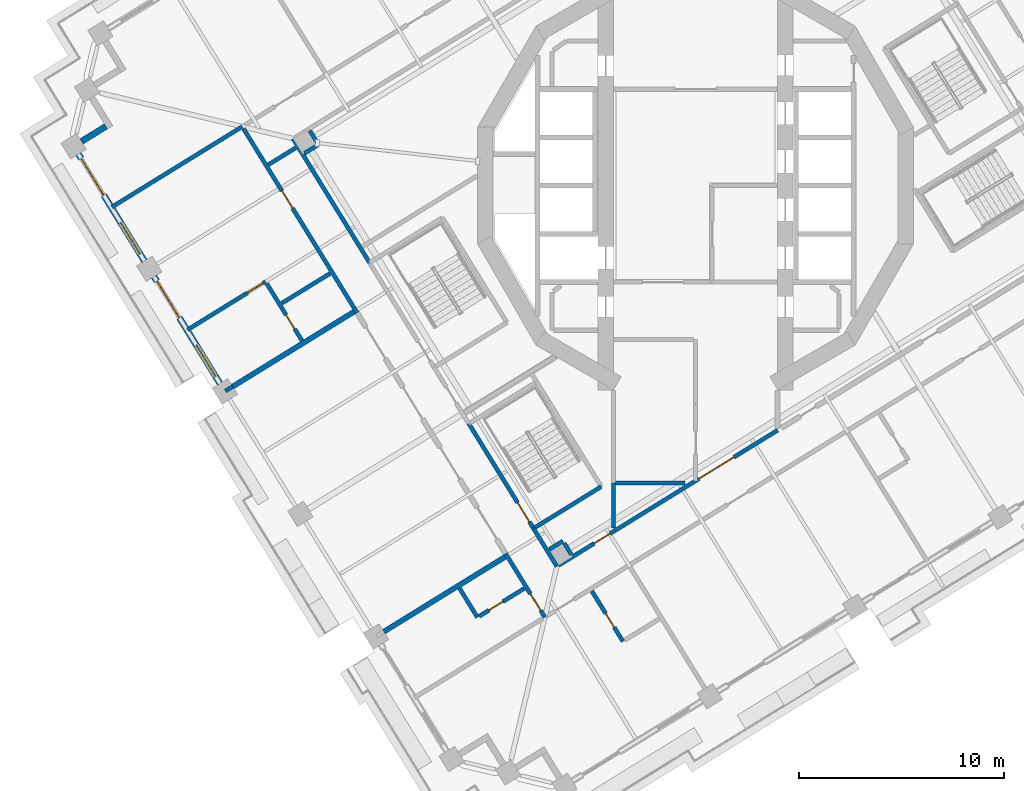
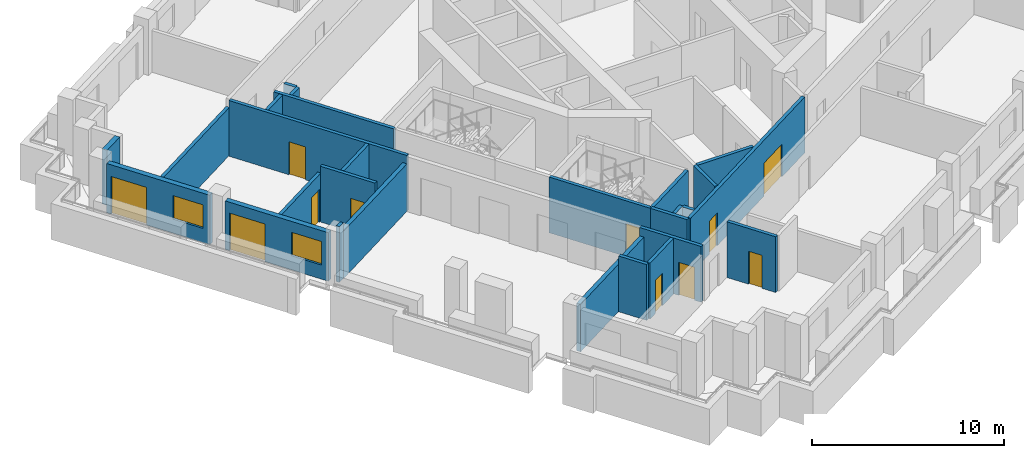
# One storey, part 4 of 20: 27 walls, 11 doors, 2 windows, 13 openings.
"""IFC4 building model written with IfcOpenShell, lengths in metres."""

import ifcopenshell
import ifcopenshell.guid

model = None  # the IFC model being written
_history = None  # IfcOwnerHistory: only IFC2X3 demands one
_inside = {}  # id of a spatial element -> (the spatial element, [elements in it])
_under = {}  # id of a project, library or spatial element -> (it, [spatial elements below it])
_declared = {}  # id of a project -> (the project, [libraries it declares])
_typed = {}  # id of a type object -> (the type object, [elements of that type])
_made_of = {}  # id of a material, layer set ... -> (it, [elements and type objects made of it])


def new_model(schema):
    """Start an empty IFC model of exactly this schema.

    Asked for "IFC4X3", IfcOpenShell would pick the latest addendum, in which some entities
    have other attributes; the version numbers below select the first issue.
    IFC2X3 requires an IfcOwnerHistory on every rooted entity: one is made here for all.
    """
    global model, _history
    if schema == "IFC4X3":
        model = ifcopenshell.file(schema_version=(4, 3, 0, 0))
    else:
        model = ifcopenshell.file(schema=schema)
    _inside.clear()
    _under.clear()
    _declared.clear()
    _typed.clear()
    _made_of.clear()
    _history = None
    if model.schema == "IFC2X3":
        org = make("IfcOrganization", Name="unknown")
        user = make(
            "IfcPersonAndOrganization",
            ThePerson=make("IfcPerson", FamilyName="unknown"),
            TheOrganization=org,
        )
        app = make(
            "IfcApplication",
            ApplicationDeveloper=org,
            Version="unknown",
            ApplicationFullName="unknown",
            ApplicationIdentifier="unknown",
        )
        _history = make(
            "IfcOwnerHistory",
            OwningUser=user,
            OwningApplication=app,
            ChangeAction="ADDED",
            CreationDate=0,
        )
    return model


def make(cls, **values):
    """One entity of the class cls with the attributes given. An attribute that is None is left unset."""
    return model.create_entity(
        cls, **{name: value for name, value in values.items() if value is not None}
    )


def rooted(cls, **values):
    """An entity with a GlobalId (a new one), such as an element, a storey or a relation."""
    return make(cls, GlobalId=ifcopenshell.guid.new(), OwnerHistory=_history, **values)


def si_unit(unit_type, name, prefix=None):
    """IfcSIUnit, for example si_unit("LENGTHUNIT", "METRE", prefix="MILLI")."""
    return make("IfcSIUnit", UnitType=unit_type, Prefix=prefix, Name=name)


def assignment(units):
    """IfcUnitAssignment: the units of a project."""
    return None if units is None else make("IfcUnitAssignment", Units=units)


def point(xyz):
    """IfcCartesianPoint."""
    return None if xyz is None else make("IfcCartesianPoint", Coordinates=xyz)


def direction(xyz):
    """IfcDirection."""
    return None if xyz is None else make("IfcDirection", DirectionRatios=xyz)


def frame(location, z_axis=None, x_axis=None):
    """IfcAxis2Placement3D, a coordinate frame: its origin and axes. An axis left out is left unset."""
    return make(
        "IfcAxis2Placement3D",
        Location=point(location),
        Axis=direction(z_axis),
        RefDirection=direction(x_axis),
    )


def frame_2d(location, x_axis=None):
    """IfcAxis2Placement2D, a coordinate frame in the plane: its origin and x axis."""
    return make(
        "IfcAxis2Placement2D", Location=point(location), RefDirection=direction(x_axis)
    )


def origin():
    """The frame at (0, 0, 0) with its axes left unset."""
    return frame((0.0, 0.0, 0.0))


def place(relative_to, where):
    """IfcLocalPlacement: puts the frame where relative to a parent placement (None: the world)."""
    return make(
        "IfcLocalPlacement", PlacementRelTo=relative_to, RelativePlacement=where
    )


def context(
    kind, dimensions, precision=None, world=None, true_north=None, identifier=None
):
    """IfcGeometricRepresentationContext, for example the 3D "Model" context."""
    return make(
        "IfcGeometricRepresentationContext",
        ContextIdentifier=identifier,
        ContextType=kind,
        CoordinateSpaceDimension=dimensions,
        Precision=precision,
        WorldCoordinateSystem=world,
        TrueNorth=true_north,
    )


def subcontext(parent, identifier, kind, view, scale=None):
    """IfcGeometricRepresentationSubContext, for example "Body" below "Model"."""
    return make(
        "IfcGeometricRepresentationSubContext",
        ContextIdentifier=identifier,
        ContextType=kind,
        ParentContext=parent,
        TargetScale=scale,
        TargetView=view,
    )


def project(units=None, contexts=None):
    """IfcProject with its units and contexts."""
    return rooted(
        "IfcProject",
        Name="project",
        RepresentationContexts=contexts,
        UnitsInContext=assignment(units),
    )


def spatial(cls, under=None, at=None, **own):
    """A site, building, storey or space (cls), placed at a placement, below another one or the project."""
    s = rooted(cls, ObjectPlacement=at, **own)
    if under is not None:
        _under.setdefault(under.id(), (under, []))[1].append(s)
    return s


def profile(cls, at=None, kind="AREA", **sizes):
    """A parametric profile (cls). Its sizes go by their IFC names, for example OverallWidth=200.0."""
    return make(cls, ProfileType=kind, Position=at, **sizes)


def rectangle(**sizes):
    """IfcRectangleProfileDef."""
    return profile("IfcRectangleProfileDef", **sizes)


def extrude(swept, where, along, depth):
    """IfcExtrudedAreaSolid: the profile swept, set in the frame where, extruded along a direction by depth."""
    return make(
        "IfcExtrudedAreaSolid",
        SweptArea=swept,
        Position=where,
        ExtrudedDirection=direction(along),
        Depth=depth,
    )


def shape(context_of_items, identifier, shape_type, items):
    """IfcShapeRepresentation: the items that make up one representation, for example the "Body"."""
    return make(
        "IfcShapeRepresentation",
        ContextOfItems=context_of_items,
        RepresentationIdentifier=identifier,
        RepresentationType=shape_type,
        Items=items,
    )


def material(Name=None, Category=None):
    """IfcMaterial."""
    return make("IfcMaterial", Name=Name, Category=Category)


def layer(
    of_material, thickness, ventilated=None, Name=None, Category=None, Priority=None
):
    """IfcMaterialLayer: one layer of a wall or slab, of a material (None: an air gap)."""
    return make(
        "IfcMaterialLayer",
        Material=of_material,
        LayerThickness=thickness,
        IsVentilated=ventilated,
        Name=Name,
        Category=Category,
        Priority=Priority,
    )


def layer_set(layers, Name=None):
    """IfcMaterialLayerSet."""
    return make("IfcMaterialLayerSet", MaterialLayers=layers, LayerSetName=Name)


def made_of(thing, what):
    """Note that an element or type object is made of a material, layer set ...; save() writes the relation."""
    if what is not None:
        _made_of.setdefault(what.id(), (what, []))[1].append(thing)
    return thing


def type_object(cls, material=None, **own):
    """A type object (cls), such as IfcWallType, which elements share."""
    return made_of(rooted(cls, **own), material)


def element(
    cls,
    number,
    at=None,
    inside=None,
    cuts=None,
    type_object=None,
    material=None,
    context=None,
    identifier="Body",
    shape_type=None,
    held_by="IfcProductDefinitionShape",
    body=None,
    shapes=None,
    **own,
):
    """One element of the class cls, such as IfcWall. Its Tag is "e" and its number.

    at: its placement. inside: the storey or other place that contains it. cuts: it is an
    opening in that element (IfcRelVoidsElement). A single representation is given by context,
    identifier, shape_type and body (its items); several are given by shapes. held_by: the class
    of the entity that holds the representations. save() writes the other relations.
    """
    e = rooted(cls, Tag="e%d" % number, ObjectPlacement=at, **own)
    if body is not None:
        shapes = [shape(context, identifier, shape_type, body)]
    if shapes is not None:
        e.Representation = make(held_by, Representations=shapes)
    if inside is not None:
        _inside.setdefault(inside.id(), (inside, []))[1].append(e)
    if cuts is not None:
        rooted(
            "IfcRelVoidsElement", RelatingBuildingElement=cuts, RelatedOpeningElement=e
        )
    if type_object is not None:
        _typed.setdefault(type_object.id(), (type_object, []))[1].append(e)
    return made_of(e, material)


def fill(opening, filler):
    """IfcRelFillsElement: the door or window that sits in an opening."""
    return rooted(
        "IfcRelFillsElement",
        RelatingOpeningElement=opening,
        RelatedBuildingElement=filler,
    )


def aggregate(whole, parts):
    """IfcRelAggregates: a whole, such as a stair, and the parts it consists of."""
    return rooted("IfcRelAggregates", RelatingObject=whole, RelatedObjects=parts)


def save(model, path):
    """Write the relations noted so far, then the file.

    IfcRelAggregates (storeys below a building ...), IfcRelContainedInSpatialStructure (elements
    in a storey), IfcRelDefinesByType, IfcRelAssociatesMaterial and IfcRelDeclares: one each for
    every whole, place, type object, material and project.
    """
    for whole, parts in _under.values():
        aggregate(whole, parts)
    for where, things in _inside.values():
        rooted(
            "IfcRelContainedInSpatialStructure",
            RelatedElements=things,
            RelatingStructure=where,
        )
    for kind, things in _typed.values():
        rooted("IfcRelDefinesByType", RelatedObjects=things, RelatingType=kind)
    for what, things in _made_of.values():
        rooted("IfcRelAssociatesMaterial", RelatedObjects=things, RelatingMaterial=what)
    for by, libraries in _declared.values():
        rooted("IfcRelDeclares", RelatingContext=by, RelatedDefinitions=libraries)
    model.write(path)


model = new_model("IFC4")

# Units and contexts
model_context = context("Model", 3, precision=1e-05, world=origin(), true_north=direction((0.0, 1.0)))
body_context = subcontext(model_context, "Body", "Model", "MODEL_VIEW")
ifc_project = project(units=[si_unit("LENGTHUNIT", "METRE"), si_unit("AREAUNIT", "SQUARE_METRE"), si_unit("VOLUMEUNIT", "CUBIC_METRE"), si_unit("PLANEANGLEUNIT", "RADIAN"), si_unit("MASSUNIT", "GRAM", prefix="KILO")], contexts=[model_context])

# Site, building, storey
site_placement = place(None, origin())
site = spatial("IfcSite", under=ifc_project, at=site_placement, CompositionType="ELEMENT")
building_placement = place(site_placement, origin())
building = spatial("IfcBuilding", under=site, at=building_placement, Name="Cantera Rosa Tower", CompositionType="ELEMENT")
storey_placement = place(building_placement, frame((0.0, 0.0, 159.0)))
storey = spatial("IfcBuildingStorey", under=building, at=storey_placement, Name="L34", CompositionType="ELEMENT", Elevation=159.0)

# Wall, opening, door
ifc_material_1 = material(Name="Gypsum board partition")
ifc_layer_1 = layer(ifc_material_1, 0.199951171875)
ifc_layer_set_1 = layer_set([ifc_layer_1], Name="CORRIDOR WALL 200 H3550")
wall_type_1 = type_object("IfcWallType", Name="CORRIDOR WALL 200 H3550", PredefinedType="PARTITIONING", material=ifc_layer_set_1)
wall_1_placement = place(storey_placement, frame((-22.037109375, 2.77392578125, 0.0), z_axis=(0.0, 0.0, 1.0), x_axis=(0.52495747355, -0.851128457381, 0.0)))
wall_1 = element("IfcWall", 1, at=wall_1_placement, inside=storey, type_object=wall_type_1, Name="CORRIDOR WALL L34-003", PredefinedType="PARTITIONING", context=body_context, shape_type="SweptSolid", body=[
    extrude(rectangle(XDim=10.544921875, YDim=0.199951171875, at=frame_2d((5.2724609375, 0.0))), origin(), (0.0, 0.0, 1.0), 3.550048828125),
])
opening_1_placement = place(wall_1_placement, frame((3.550048828125, 0.0, 0.0)))
opening_1 = element("IfcOpeningElement", 2, at=opening_1_placement, cuts=wall_1, Name="Opening L34-036", PredefinedType="OPENING", context=body_context, shape_type="SweptSolid", body=[
    extrude(rectangle(XDim=1.0, YDim=2.10009765625, at=frame_2d((0.5, 1.050048828125))), frame((0.0, 0.10986328125, 0.0), z_axis=(0.0, -1.0, 0.0), x_axis=(1.0, 0.0, 0.0)), (0.0, 0.0, 1.0), 0.219970703125),
])
ifc_material_2 = material(Name="Timber door leaf", Category="wood")
door_type_1 = type_object("IfcDoorType", Name="ENTRANCE DOOR 1000x2100", OperationType="NOTDEFINED", PredefinedType="DOOR", material=ifc_material_2)
door_1_placement = place(opening_1_placement, origin())
door_1 = element("IfcDoor", 3, at=door_1_placement, inside=storey, type_object=door_type_1, Name="DOOR L34-036", OperationType="NOTDEFINED", OverallHeight=2.10009765625, OverallWidth=1.0, PredefinedType="DOOR", context=body_context, shape_type="SweptSolid", body=[
    extrude(rectangle(XDim=1.0, YDim=2.10009765625, at=frame_2d((0.5, 1.050048828125))), frame((0.0, 0.02490234375, 0.0), z_axis=(0.0, -1.0, 0.0), x_axis=(1.0, 0.0, 0.0)), (0.0, 0.0, 1.0), 0.050048828125),
])
fill(opening_1, door_1)

wall_2_placement = place(storey_placement, frame((-9.261962890625, -17.93798828125, 0.0), z_axis=(0.0, 0.0, 1.0), x_axis=(0.52498656073, -0.851110516356, 0.0)))
wall_2 = element("IfcWall", 4, at=wall_2_placement, inside=storey, type_object=wall_type_1, Name="CORRIDOR WALL L34-004", PredefinedType="PARTITIONING", context=body_context, shape_type="SweptSolid", body=[
    extrude(rectangle(XDim=3.64501953125, YDim=0.199951171875, at=frame_2d((1.822509765625, 0.0))), origin(), (0.0, 0.0, 1.0), 3.550048828125),
])
opening_2_placement = place(wall_2_placement, frame((2.31005859375, 0.0, 0.0)))
opening_2 = element("IfcOpeningElement", 5, at=opening_2_placement, cuts=wall_2, Name="Opening L34-039", PredefinedType="OPENING", context=body_context, shape_type="SweptSolid", body=[
    extrude(rectangle(XDim=0.949951171875, YDim=2.10009765625, at=frame_2d((0.47509765625, 1.050048828125))), frame((0.0, 0.10986328125, 0.0), z_axis=(0.0, -1.0, 0.0), x_axis=(1.0, 0.0, 0.0)), (0.0, 0.0, 1.0), 0.219970703125),
])
ifc_material_3 = material(Name="Timber door leaf", Category="wood")
door_type_2 = type_object("IfcDoorType", Name="ROOM DOOR 950x2100", OperationType="NOTDEFINED", PredefinedType="DOOR", material=ifc_material_3)
door_2_placement = place(opening_2_placement, origin())
door_2 = element("IfcDoor", 6, at=door_2_placement, inside=storey, type_object=door_type_2, Name="DOOR L34-039", OperationType="NOTDEFINED", OverallHeight=2.10009765625, OverallWidth=0.949951171875, PredefinedType="DOOR", context=body_context, shape_type="SweptSolid", body=[
    extrude(rectangle(XDim=0.949951171875, YDim=2.10009765625, at=frame_2d((0.47509765625, 1.050048828125))), frame((0.0, 0.02490234375, 0.0), z_axis=(0.0, -1.0, 0.0), x_axis=(1.0, 0.0, 0.0)), (0.0, 0.0, 1.0), 0.050048828125),
])
fill(opening_2, door_2)

# Walls
wall_3_placement = place(storey_placement, frame((-20.8349609375, 1.015380859375, 0.0), z_axis=(0.0, 0.0, 1.0), x_axis=(0.851143253059, 0.52493348414, 0.0)))
element("IfcWall", 7, at=wall_3_placement, inside=storey, type_object=wall_type_1, Name="CORRIDOR WALL L34-006", PredefinedType="PARTITIONING", context=body_context, shape_type="SweptSolid", body=[
    extrude(rectangle(XDim=1.579833984375, YDim=0.199951171875, at=frame_2d((0.7900390625, 0.0))), origin(), (0.0, 0.0, 1.0), 3.550048828125),
])
wall_4_placement = place(storey_placement, frame((-19.623291015625, 2.2890625, 0.0), z_axis=(0.0, 0.0, 1.0), x_axis=(0.524973806956, -0.851118383076, 0.0)))
element("IfcWall", 8, at=wall_4_placement, inside=storey, type_object=wall_type_1, Name="CORRIDOR WALL L34-008", PredefinedType="PARTITIONING", context=body_context, shape_type="SweptSolid", body=[
    extrude(rectangle(XDim=7.100830078125, YDim=0.199951171875, at=frame_2d((3.55029296875, 0.0))), origin(), (0.0, 0.0, 1.0), 3.550048828125),
])
wall_5_placement = place(storey_placement, frame((-7.9033203125, -16.7119140625, 0.0), z_axis=(0.0, 0.0, 1.0), x_axis=(0.525036414636, -0.851079763187, 0.0)))
element("IfcWall", 9, at=wall_5_placement, inside=storey, type_object=wall_type_1, Name="CORRIDOR WALL L34-030", PredefinedType="PARTITIONING", context=body_context, shape_type="SweptSolid", body=[
    extrude(rectangle(XDim=2.17529296875, YDim=0.199951171875, at=frame_2d((1.087646484375, 0.0))), origin(), (0.0, 0.0, 1.0), 3.550048828125),
])

# Wall, openings, doors
wall_6_placement = place(storey_placement, frame((-6.67626953125, -18.5107421875, 0.0), z_axis=(0.0, 0.0, 1.0), x_axis=(0.851117243115, 0.524975655123, 0.0)))
wall_6 = element("IfcWall", 10, at=wall_6_placement, inside=storey, type_object=wall_type_1, Name="CORRIDOR WALL L34-046", PredefinedType="PARTITIONING", context=body_context, shape_type="SweptSolid", body=[
    extrude(rectangle(XDim=12.5439453125, YDim=0.199951171875, at=frame_2d((6.27197265625, 0.0))), origin(), (0.0, 0.0, 1.0), 3.550048828125),
])
opening_3_placement = place(wall_6_placement, frame((2.03515625, 0.0, 0.0)))
opening_3 = element("IfcOpeningElement", 11, at=opening_3_placement, cuts=wall_6, Name="Opening L34-009", PredefinedType="OPENING", context=body_context, shape_type="SweptSolid", body=[
    extrude(rectangle(XDim=0.89990234375, YDim=2.10009765625, at=frame_2d((0.449951171875, 1.050048828125))), frame((0.0, 0.10986328125, 0.0), z_axis=(0.0, -1.0, 0.0), x_axis=(1.0, 0.0, 0.0)), (0.0, 0.0, 1.0), 0.219970703125),
])
opening_4_placement = place(wall_6_placement, frame((8.044189453125, 0.0, 0.0)))
opening_4 = element("IfcOpeningElement", 12, at=opening_4_placement, cuts=wall_6, Name="Opening L34-013", PredefinedType="OPENING", context=body_context, shape_type="SweptSolid", body=[
    extrude(rectangle(XDim=2.0, YDim=2.10009765625, at=frame_2d((1.0, 1.050048828125))), frame((0.0, 0.10986328125, 0.0), z_axis=(0.0, -1.0, 0.0), x_axis=(1.0, 0.0, 0.0)), (0.0, 0.0, 1.0), 0.219970703125),
])
ifc_material_4 = material(Name="Steel S355J2 (EN 10025-2)", Category="steel")
door_type_3 = type_object("IfcDoorType", Name="LOBBY SCREEN DOOR 2000x2100", OperationType="NOTDEFINED", PredefinedType="DOOR", material=ifc_material_4)
door_3_placement = place(opening_4_placement, origin())
door_3 = element("IfcDoor", 13, at=door_3_placement, inside=storey, type_object=door_type_3, Name="DOOR L34-013", OperationType="NOTDEFINED", OverallHeight=2.10009765625, OverallWidth=2.0, PredefinedType="DOOR", context=body_context, shape_type="SweptSolid", body=[
    extrude(rectangle(XDim=2.0, YDim=2.10009765625, at=frame_2d((1.0, 1.050048828125))), frame((0.0, 0.02490234375, 0.0), z_axis=(0.0, -1.0, 0.0), x_axis=(1.0, 0.0, 0.0)), (0.0, 0.0, 1.0), 0.050048828125),
])
fill(opening_4, door_3)
ifc_material_5 = material(Name="Timber door leaf", Category="wood")
door_type_4 = type_object("IfcDoorType", Name="SERVICE DOOR 900x2100", OperationType="NOTDEFINED", PredefinedType="DOOR", material=ifc_material_5)
door_4_placement = place(opening_3_placement, origin())
door_4 = element("IfcDoor", 14, at=door_4_placement, inside=storey, type_object=door_type_4, Name="DOOR L34-009", OperationType="NOTDEFINED", OverallHeight=2.10009765625, OverallWidth=0.89990234375, PredefinedType="DOOR", context=body_context, shape_type="SweptSolid", body=[
    extrude(rectangle(XDim=0.89990234375, YDim=2.10009765625, at=frame_2d((0.449951171875, 1.050048828125))), frame((0.0, 0.02490234375, 0.0), z_axis=(0.0, -1.0, 0.0), x_axis=(1.0, 0.0, 0.0)), (0.0, 0.0, 1.0), 0.050048828125),
])
fill(opening_3, door_4)

# Walls
wall_7_placement = place(storey_placement, frame((-4.0, -14.5, 0.0), z_axis=(0.0, 0.0, 1.0), x_axis=(0.0, -1.0, 0.0)))
element("IfcWall", 15, at=wall_7_placement, inside=storey, type_object=wall_type_1, Name="CORRIDOR WALL L34-055", PredefinedType="PARTITIONING", context=body_context, shape_type="SweptSolid", body=[
    extrude(rectangle(XDim=2.2001953125, YDim=0.199951171875, at=frame_2d((1.10009765625, 0.0))), origin(), (0.0, 0.0, 1.0), 3.550048828125),
])
wall_8_placement = place(storey_placement, frame((-3.89990234375, -14.5, 0.0), z_axis=(0.0, 0.0, 1.0), x_axis=(1.0, 0.0, 0.0)))
element("IfcWall", 16, at=wall_8_placement, inside=storey, type_object=wall_type_1, Name="CORRIDOR WALL L34-056", PredefinedType="PARTITIONING", context=body_context, shape_type="SweptSolid", body=[
    extrude(rectangle(XDim=3.38623046875, YDim=0.199951171875, at=frame_2d((1.693115234375, 0.0))), origin(), (0.0, 0.0, 1.0), 3.550048828125),
])
ifc_material_6 = material(Name="Hollow clay masonry with cantera stone cladding", Category="masonry")
ifc_layer_2 = layer(ifc_material_6, 0.300048828125)
ifc_layer_set_2 = layer_set([ifc_layer_2], Name="EW-LOGGIA 300")
wall_type_2 = type_object("IfcWallType", Name="EW-LOGGIA 300", PredefinedType="SOLIDWALL", material=ifc_layer_set_2)
wall_9_placement = place(storey_placement, frame((-28.74658203125, 2.888916015625, 0.0), z_axis=(0.0, 0.0, 1.0), x_axis=(-0.851040987269, -0.525099264891, 0.0)))
element("IfcWall", 17, at=wall_9_placement, inside=storey, type_object=wall_type_2, Name="EN-L34-W14b", PredefinedType="SOLIDWALL", context=body_context, shape_type="SweptSolid", body=[
    extrude(rectangle(XDim=1.39990234375, YDim=0.300048828125, at=frame_2d((0.699951171875, 0.0))), origin(), (0.0, 0.0, 1.0), 3.5),
])

# Wall, openings, window, door
ifc_material_7 = material(Name="Hollow clay masonry with cantera stone cladding", Category="masonry")
ifc_layer_3 = layer(ifc_material_7, 0.300048828125)
ifc_layer_set_3 = layer_set([ifc_layer_3], Name="EW-LOGGIA 300 H3090")
wall_type_3 = type_object("IfcWallType", Name="EW-LOGGIA 300 H3090", PredefinedType="SOLIDWALL", material=ifc_layer_set_3)
wall_10_placement = place(storey_placement, frame((-26.3994140625, -4.440185546875, 0.0), z_axis=(0.0, 0.0, 1.0), x_axis=(0.524987447654, -0.851109969279, 0.0)))
wall_10 = element("IfcWall", 18, at=wall_10_placement, inside=storey, type_object=wall_type_3, Name="EN-L34-W16", PredefinedType="SOLIDWALL", context=body_context, shape_type="SweptSolid", body=[
    extrude(rectangle(XDim=6.119873046875, YDim=0.300048828125, at=frame_2d((3.06005859375, 0.0))), origin(), (0.0, 0.0, 1.0), 3.090087890625),
])
opening_5_placement = place(wall_10_placement, frame((0.2548828125, 0.0, 0.0)))
opening_5 = element("IfcOpeningElement", 19, at=opening_5_placement, cuts=wall_10, Name="Opening L34-TD23", PredefinedType="OPENING", context=body_context, shape_type="SweptSolid", body=[
    extrude(rectangle(XDim=2.10009765625, YDim=2.39990234375, at=frame_2d((1.050048828125, 1.199951171875))), frame((0.0, 0.159912109375, 0.0), z_axis=(0.0, -1.0, 0.0), x_axis=(1.0, 0.0, 0.0)), (0.0, 0.0, 1.0), 0.320068359375),
])
opening_6_placement = place(wall_10_placement, frame((3.9150390625, 0.0, 0.89990234375)))
opening_6 = element("IfcOpeningElement", 20, at=opening_6_placement, cuts=wall_10, Name="Opening L34-W24", PredefinedType="OPENING", context=body_context, shape_type="SweptSolid", body=[
    extrude(rectangle(XDim=1.800048828125, YDim=1.5, at=frame_2d((0.89990234375, 0.75))), frame((0.0, 0.159912109375, 0.0), z_axis=(0.0, -1.0, 0.0), x_axis=(1.0, 0.0, 0.0)), (0.0, 0.0, 1.0), 0.320068359375),
])
ifc_material_8 = material(Name="Aluminium frame with clear glass", Category="aluminium")
window_type = type_object("IfcWindowType", Name="Hotel room window 1800x1500", PartitioningType="DOUBLE_PANEL_VERTICAL", PredefinedType="WINDOW", material=ifc_material_8)
window_1_placement = place(opening_6_placement, origin())
window_1 = element("IfcWindow", 21, at=window_1_placement, inside=storey, type_object=window_type, Name="WINDOW L34-W24", OverallHeight=1.5, OverallWidth=1.800048828125, PartitioningType="SINGLE_PANEL", PredefinedType="WINDOW", context=body_context, shape_type="SweptSolid", body=[
    extrude(rectangle(XDim=1.800048828125, YDim=1.5, at=frame_2d((0.89990234375, 0.75))), frame((0.0, 0.030029296875, 0.0), z_axis=(0.0, -1.0, 0.0), x_axis=(1.0, 0.0, 0.0)), (0.0, 0.0, 1.0), 0.06005859375),
])
fill(opening_6, window_1)
ifc_material_9 = material(Name="Aluminium frame with clear glass", Category="aluminium")
door_type_5 = type_object("IfcDoorType", Name="TD-H 2100x2400", OperationType="NOTDEFINED", PredefinedType="DOOR", material=ifc_material_9)
door_5_placement = place(opening_5_placement, origin())
door_5 = element("IfcDoor", 22, at=door_5_placement, inside=storey, type_object=door_type_5, Name="LOGGIA DOOR L34-TD23", OperationType="SLIDING_TO_LEFT", OverallHeight=2.39990234375, OverallWidth=2.10009765625, PredefinedType="DOOR", context=body_context, shape_type="SweptSolid", body=[
    extrude(rectangle(XDim=2.10009765625, YDim=2.39990234375, at=frame_2d((1.050048828125, 1.199951171875))), frame((0.0, 0.02490234375, 0.0), z_axis=(0.0, -1.0, 0.0), x_axis=(1.0, 0.0, 0.0)), (0.0, 0.0, 1.0), 0.050048828125),
])
fill(opening_5, door_5)

ifc_material_10 = material(Name="Hollow clay masonry with cantera stone cladding", Category="masonry")
ifc_layer_4 = layer(ifc_material_10, 0.300048828125)
ifc_layer_set_4 = layer_set([ifc_layer_4], Name="EW-LOGGIA 300 H3140")
wall_type_4 = type_object("IfcWallType", Name="EW-LOGGIA 300 H3140", PredefinedType="SOLIDWALL", material=ifc_layer_set_4)
wall_11_placement = place(storey_placement, frame((-30.084716796875, 1.53466796875, 0.0), z_axis=(0.0, 0.0, 1.0), x_axis=(0.524987447654, -0.851109969279, 0.0)))
wall_11 = element("IfcWall", 23, at=wall_11_placement, inside=storey, type_object=wall_type_4, Name="EN-L34-W15", PredefinedType="SOLIDWALL", context=body_context, shape_type="SweptSolid", body=[
    extrude(rectangle(XDim=6.119873046875, YDim=0.300048828125, at=frame_2d((3.06005859375, 0.0))), origin(), (0.0, 0.0, 1.0), 3.139892578125),
])
opening_7_placement = place(wall_11_placement, frame((0.2548828125, 0.0, 0.0)))
opening_7 = element("IfcOpeningElement", 24, at=opening_7_placement, cuts=wall_11, Name="Opening L34-TD21", PredefinedType="OPENING", context=body_context, shape_type="SweptSolid", body=[
    extrude(rectangle(XDim=2.10009765625, YDim=2.39990234375, at=frame_2d((1.050048828125, 1.199951171875))), frame((0.0, 0.159912109375, 0.0), z_axis=(0.0, -1.0, 0.0), x_axis=(1.0, 0.0, 0.0)), (0.0, 0.0, 1.0), 0.320068359375),
])
opening_8_placement = place(wall_11_placement, frame((3.9150390625, 0.0, 0.89990234375)))
opening_8 = element("IfcOpeningElement", 25, at=opening_8_placement, cuts=wall_11, Name="Opening L34-W22", PredefinedType="OPENING", context=body_context, shape_type="SweptSolid", body=[
    extrude(rectangle(XDim=1.800048828125, YDim=1.5, at=frame_2d((0.89990234375, 0.75))), frame((0.0, 0.159912109375, 0.0), z_axis=(0.0, -1.0, 0.0), x_axis=(1.0, 0.0, 0.0)), (0.0, 0.0, 1.0), 0.320068359375),
])
window_2_placement = place(opening_8_placement, origin())
window_2 = element("IfcWindow", 26, at=window_2_placement, inside=storey, type_object=window_type, Name="WINDOW L34-W22", OverallHeight=1.5, OverallWidth=1.800048828125, PartitioningType="SINGLE_PANEL", PredefinedType="WINDOW", context=body_context, shape_type="SweptSolid", body=[
    extrude(rectangle(XDim=1.800048828125, YDim=1.5, at=frame_2d((0.89990234375, 0.75))), frame((0.0, 0.030029296875, 0.0), z_axis=(0.0, -1.0, 0.0), x_axis=(1.0, 0.0, 0.0)), (0.0, 0.0, 1.0), 0.06005859375),
])
fill(opening_8, window_2)
door_6_placement = place(opening_7_placement, origin())
door_6 = element("IfcDoor", 27, at=door_6_placement, inside=storey, type_object=door_type_5, Name="LOGGIA DOOR L34-TD21", OperationType="SLIDING_TO_LEFT", OverallHeight=2.39990234375, OverallWidth=2.10009765625, PredefinedType="DOOR", context=body_context, shape_type="SweptSolid", body=[
    extrude(rectangle(XDim=2.10009765625, YDim=2.39990234375, at=frame_2d((1.050048828125, 1.199951171875))), frame((0.0, 0.02490234375, 0.0), z_axis=(0.0, -1.0, 0.0), x_axis=(1.0, 0.0, 0.0)), (0.0, 0.0, 1.0), 0.050048828125),
])
fill(opening_7, door_6)

# Walls
ifc_material_11 = material(Name="Concrete C40/50", Category="concrete")
ifc_layer_5 = layer(ifc_material_11, 0.25)
ifc_layer_set_5 = layer_set([ifc_layer_5], Name="EW-POCKET CHEEK 250 H3020")
wall_type_5 = type_object("IfcWallType", Name="EW-POCKET CHEEK 250 H3020", PredefinedType="SOLIDWALL", material=ifc_layer_set_5)
for number, where, z_axis, x_axis, name in (
    (28, (-22.5673828125, -9.795654296875, 0.0), (0.0, 0.0, 1.0), (0.851127184208, 0.524959537777, 0.0), "POCKET CHEEK A L34"),
    (29, (-15.19677734375, -21.745361328125, 0.0), (0.0, 0.0, 1.0), (0.851127184208, 0.524959537777, 0.0), "POCKET CHEEK B L34"),
):
    element("IfcWall", number, at=place(storey_placement, frame(where, z_axis=z_axis, x_axis=x_axis)), inside=storey, type_object=wall_type_5, Name=name, PredefinedType="SOLIDWALL", context=body_context, shape_type="SweptSolid", body=[
        extrude(rectangle(XDim=6.949951171875, YDim=0.25, at=frame_2d((3.47509765625, 0.0))), origin(), (0.0, 0.0, 1.0), 3.02001953125),
    ])

# Wall, opening, door
ifc_material_12 = material(Name="Gypsum board partition")
ifc_layer_6 = layer(ifc_material_12, 0.199951171875)
ifc_layer_set_6 = layer_set([ifc_layer_6], Name="PARTITION 200 H3050")
wall_type_6 = type_object("IfcWallType", Name="PARTITION 200 H3050", PredefinedType="PARTITIONING", material=ifc_layer_set_6)
wall_12_placement = place(storey_placement, frame((-24.767578125, -7.02880859375, 0.0), z_axis=(0.0, 0.0, 1.0), x_axis=(0.851125318938, 0.524962561963, 0.0)))
wall_12 = element("IfcWall", 30, at=wall_12_placement, inside=storey, type_object=wall_type_6, Name="PARTITION L34-001", PredefinedType="PARTITIONING", context=body_context, shape_type="SweptSolid", body=[
    extrude(rectangle(XDim=4.47021484375, YDim=0.199951171875, at=frame_2d((2.235107421875, 0.0))), origin(), (0.0, 0.0, 1.0), 3.050048828125),
])
opening_9_placement = place(wall_12_placement, frame((3.419921875, 0.0, 0.0)))
opening_9 = element("IfcOpeningElement", 31, at=opening_9_placement, cuts=wall_12, Name="Opening L34-037", PredefinedType="OPENING", context=body_context, shape_type="SweptSolid", body=[
    extrude(rectangle(XDim=0.89990234375, YDim=2.10009765625, at=frame_2d((0.449951171875, 1.050048828125))), frame((0.0, 0.10986328125, 0.0), z_axis=(0.0, -1.0, 0.0), x_axis=(1.0, 0.0, 0.0)), (0.0, 0.0, 1.0), 0.219970703125),
])
ifc_material_13 = material(Name="Timber door leaf", Category="wood")
door_type_6 = type_object("IfcDoorType", Name="ROOM DOOR 900x2100", OperationType="NOTDEFINED", PredefinedType="DOOR", material=ifc_material_13)
door_7_placement = place(opening_9_placement, origin())
door_7 = element("IfcDoor", 32, at=door_7_placement, inside=storey, type_object=door_type_6, Name="DOOR L34-037", OperationType="NOTDEFINED", OverallHeight=2.10009765625, OverallWidth=0.89990234375, PredefinedType="DOOR", context=body_context, shape_type="SweptSolid", body=[
    extrude(rectangle(XDim=0.89990234375, YDim=2.10009765625, at=frame_2d((0.449951171875, 1.050048828125))), frame((0.0, 0.02490234375, 0.0), z_axis=(0.0, -1.0, 0.0), x_axis=(1.0, 0.0, 0.0)), (0.0, 0.0, 1.0), 0.050048828125),
])
fill(opening_9, door_7)

ifc_material_14 = material(Name="Gypsum board partition")
ifc_layer_7 = layer(ifc_material_14, 0.199951171875)
ifc_layer_set_7 = layer_set([ifc_layer_7], Name="PARTITION 200 H3550")
wall_type_7 = type_object("IfcWallType", Name="PARTITION 200 H3550", PredefinedType="PARTITIONING", material=ifc_layer_set_7)
wall_13_placement = place(storey_placement, frame((-20.89990234375, -4.7841796875, 0.0), z_axis=(0.0, 0.0, 1.0), x_axis=(0.524946663519, -0.851135124678, 0.0)))
wall_13 = element("IfcWall", 33, at=wall_13_placement, inside=storey, type_object=wall_type_7, Name="PARTITION L34-005", PredefinedType="PARTITIONING", context=body_context, shape_type="SweptSolid", body=[
    extrude(rectangle(XDim=3.255126953125, YDim=0.199951171875, at=frame_2d((1.62744140625, 0.0))), origin(), (0.0, 0.0, 1.0), 3.550048828125),
])
opening_10_placement = place(wall_13_placement, frame((1.780029296875, 0.0, 0.0)))
opening_10 = element("IfcOpeningElement", 34, at=opening_10_placement, cuts=wall_13, Name="Opening L34-038", PredefinedType="OPENING", context=body_context, shape_type="SweptSolid", body=[
    extrude(rectangle(XDim=0.800048828125, YDim=2.10009765625, at=frame_2d((0.39990234375, 1.050048828125))), frame((0.0, 0.10986328125, 0.0), z_axis=(0.0, -1.0, 0.0), x_axis=(1.0, 0.0, 0.0)), (0.0, 0.0, 1.0), 0.219970703125),
])
ifc_material_15 = material(Name="Timber door leaf", Category="wood")
door_type_7 = type_object("IfcDoorType", Name="BATHROOM DOOR 800x2100", OperationType="NOTDEFINED", PredefinedType="DOOR", material=ifc_material_15)
door_8_placement = place(opening_10_placement, origin())
door_8 = element("IfcDoor", 35, at=door_8_placement, inside=storey, type_object=door_type_7, Name="DOOR L34-038", OperationType="NOTDEFINED", OverallHeight=2.10009765625, OverallWidth=0.800048828125, PredefinedType="DOOR", context=body_context, shape_type="SweptSolid", body=[
    extrude(rectangle(XDim=0.800048828125, YDim=2.10009765625, at=frame_2d((0.39990234375, 1.050048828125))), frame((0.0, 0.02490234375, 0.0), z_axis=(0.0, -1.0, 0.0), x_axis=(1.0, 0.0, 0.0)), (0.0, 0.0, 1.0), 0.050048828125),
])
fill(opening_10, door_8)

# Walls
wall_14_placement = place(storey_placement, frame((-20.173095703125, -5.734130859375, 0.0), z_axis=(0.0, 0.0, 1.0), x_axis=(0.851089839436, 0.525020080767, 0.0)))
element("IfcWall", 36, at=wall_14_placement, inside=storey, type_object=wall_type_7, Name="PARTITION L34-007", PredefinedType="PARTITIONING", context=body_context, shape_type="SweptSolid", body=[
    extrude(rectangle(XDim=2.759765625, YDim=0.199951171875, at=frame_2d((1.3798828125, 0.0))), origin(), (0.0, 0.0, 1.0), 3.550048828125),
])
wall_15_placement = place(storey_placement, frame((-19.065673828125, 1.575439453125, 0.0), z_axis=(0.0, 0.0, 1.0), x_axis=(0.85101860469, 0.525135539144, 0.0)))
element("IfcWall", 37, at=wall_15_placement, inside=storey, type_object=wall_type_7, Name="PARTITION L34-009", PredefinedType="PARTITIONING", context=body_context, shape_type="SweptSolid", body=[
    extrude(rectangle(XDim=0.800048828125, YDim=0.199951171875, at=frame_2d((0.39990234375, 0.0))), origin(), (0.0, 0.0, 1.0), 3.550048828125),
])
wall_16_placement = place(storey_placement, frame((-18.437255859375, 2.08056640625, 0.0), z_axis=(0.0, 0.0, 1.0), x_axis=(-0.524817119332, 0.851215008829, 0.0)))
element("IfcWall", 38, at=wall_16_placement, inside=storey, type_object=wall_type_7, Name="PARTITION L34-010", PredefinedType="PARTITIONING", context=body_context, shape_type="SweptSolid", body=[
    extrude(rectangle(XDim=0.7001953125, YDim=0.199951171875, at=frame_2d((0.35009765625, 0.0))), origin(), (0.0, 0.0, 1.0), 3.550048828125),
])
wall_17_placement = place(storey_placement, frame((-10.634521484375, -21.04638671875, 0.0), z_axis=(0.0, 0.0, 1.0), x_axis=(-0.524915259782, 0.851154492468, 0.0)))
element("IfcWall", 39, at=wall_17_placement, inside=storey, type_object=wall_type_7, Name="PARTITION L34-023", PredefinedType="PARTITIONING", context=body_context, shape_type="SweptSolid", body=[
    extrude(rectangle(XDim=1.6650390625, YDim=0.199951171875, at=frame_2d((0.83251953125, 0.0))), origin(), (0.0, 0.0, 1.0), 3.550048828125),
])

# Wall, opening, door
wall_18_placement = place(storey_placement, frame((-8.353515625, -19.639404296875, 0.0), z_axis=(0.0, 0.0, 1.0), x_axis=(-0.851098989685, -0.525005247362, 0.0)))
wall_18 = element("IfcWall", 40, at=wall_18_placement, inside=storey, type_object=wall_type_7, Name="PARTITION L34-029", PredefinedType="PARTITIONING", context=body_context, shape_type="SweptSolid", body=[
    extrude(rectangle(XDim=2.580078125, YDim=0.199951171875, at=frame_2d((1.2900390625, 0.0))), origin(), (0.0, 0.0, 1.0), 3.550048828125),
])
opening_11_placement = place(wall_18_placement, frame((1.216064453125, 0.0, 0.0)))
opening_11 = element("IfcOpeningElement", 41, at=opening_11_placement, cuts=wall_18, Name="Opening L34-040", PredefinedType="OPENING", context=body_context, shape_type="SweptSolid", body=[
    extrude(rectangle(XDim=0.800048828125, YDim=2.10009765625, at=frame_2d((0.39990234375, 1.050048828125))), frame((0.0, 0.10986328125, 0.0), z_axis=(0.0, -1.0, 0.0), x_axis=(1.0, 0.0, 0.0)), (0.0, 0.0, 1.0), 0.219970703125),
])
door_9_placement = place(opening_11_placement, origin())
door_9 = element("IfcDoor", 42, at=door_9_placement, inside=storey, type_object=door_type_7, Name="DOOR L34-040", OperationType="NOTDEFINED", OverallHeight=2.10009765625, OverallWidth=0.800048828125, PredefinedType="DOOR", context=body_context, shape_type="SweptSolid", body=[
    extrude(rectangle(XDim=0.800048828125, YDim=2.10009765625, at=frame_2d((0.39990234375, 1.050048828125))), frame((0.0, 0.02490234375, 0.0), z_axis=(0.0, -1.0, 0.0), x_axis=(1.0, 0.0, 0.0)), (0.0, 0.0, 1.0), 0.050048828125),
])
fill(opening_11, door_9)

# Walls
wall_19_placement = place(storey_placement, frame((-6.4677734375, -17.32470703125, 0.0), z_axis=(0.0, 0.0, 1.0), x_axis=(-0.850991371659, -0.525179669601, 0.0)))
element("IfcWall", 43, at=wall_19_placement, inside=storey, type_object=wall_type_7, Name="PARTITION L34-047", PredefinedType="PARTITIONING", context=body_context, shape_type="SweptSolid", body=[
    extrude(rectangle(XDim=0.780029296875, YDim=0.199951171875, at=frame_2d((0.39013671875, 0.0))), origin(), (0.0, 0.0, 1.0), 3.550048828125),
])
wall_20_placement = place(storey_placement, frame((-6.058349609375, -17.98876953125, 0.0), z_axis=(0.0, 0.0, 1.0), x_axis=(-0.524902102766, 0.851162606387, 0.0)))
element("IfcWall", 44, at=wall_20_placement, inside=storey, type_object=wall_type_7, Name="PARTITION L34-049", PredefinedType="PARTITIONING", context=body_context, shape_type="SweptSolid", body=[
    extrude(rectangle(XDim=0.659912109375, YDim=0.199951171875, at=frame_2d((0.330078125, 0.0))), origin(), (0.0, 0.0, 1.0), 3.550048828125),
])

# Wall, opening, door
wall_21_placement = place(storey_placement, frame((-3.54345703125, -22.21826171875, 0.0), z_axis=(0.0, 0.0, 1.0), x_axis=(-0.524991059862, 0.851107741162, 0.0)))
wall_21 = element("IfcWall", 45, at=wall_21_placement, inside=storey, type_object=wall_type_7, Name="PARTITION L34-060", PredefinedType="PARTITIONING", context=body_context, shape_type="SweptSolid", body=[
    extrude(rectangle(XDim=2.8798828125, YDim=0.199951171875, at=frame_2d((1.43994140625, 0.0))), origin(), (0.0, 0.0, 1.0), 3.550048828125),
])
opening_12_placement = place(wall_21_placement, frame((0.800048828125, 0.0, 0.0)))
opening_12 = element("IfcOpeningElement", 46, at=opening_12_placement, cuts=wall_21, Name="Opening L34-045", PredefinedType="OPENING", context=body_context, shape_type="SweptSolid", body=[
    extrude(rectangle(XDim=0.800048828125, YDim=2.10009765625, at=frame_2d((0.39990234375, 1.050048828125))), frame((0.0, 0.10986328125, 0.0), z_axis=(0.0, -1.0, 0.0), x_axis=(1.0, 0.0, 0.0)), (0.0, 0.0, 1.0), 0.219970703125),
])
door_10_placement = place(opening_12_placement, origin())
door_10 = element("IfcDoor", 47, at=door_10_placement, inside=storey, type_object=door_type_7, Name="DOOR L34-045", OperationType="NOTDEFINED", OverallHeight=2.10009765625, OverallWidth=0.800048828125, PredefinedType="DOOR", context=body_context, shape_type="SweptSolid", body=[
    extrude(rectangle(XDim=0.800048828125, YDim=2.10009765625, at=frame_2d((0.39990234375, 1.050048828125))), frame((0.0, 0.02490234375, 0.0), z_axis=(0.0, -1.0, 0.0), x_axis=(1.0, 0.0, 0.0)), (0.0, 0.0, 1.0), 0.050048828125),
])
fill(opening_12, door_10)

# Walls
ifc_material_16 = material(Name="Gypsum board partition")
ifc_layer_8 = layer(ifc_material_16, 0.199951171875)
ifc_layer_set_8 = layer_set([ifc_layer_8], Name="PARTY WALL 200 H3050")
wall_type_8 = type_object("IfcWallType", Name="PARTY WALL 200 H3050", PredefinedType="PARTITIONING", material=ifc_layer_set_8)
wall_22_placement = place(storey_placement, frame((-22.10009765625, 2.876220703125, 0.0), z_axis=(0.0, 0.0, 1.0), x_axis=(-0.85111586596, -0.524977887831, 0.0)))
element("IfcWall", 48, at=wall_22_placement, inside=storey, type_object=wall_type_8, Name="PARTY WALL L34-002", PredefinedType="PARTITIONING", context=body_context, shape_type="SweptSolid", body=[
    extrude(rectangle(XDim=7.469970703125, YDim=0.199951171875, at=frame_2d((3.73486328125, 0.0))), origin(), (0.0, 0.0, 1.0), 3.050048828125),
])
ifc_material_17 = material(Name="Gypsum board partition")
ifc_layer_9 = layer(ifc_material_17, 0.199951171875)
ifc_layer_set_9 = layer_set([ifc_layer_9], Name="PARTY WALL 200 H3550")
wall_type_9 = type_object("IfcWallType", Name="PARTY WALL 200 H3550", PredefinedType="PARTITIONING", material=ifc_layer_set_9)
wall_23_placement = place(storey_placement, frame((-22.5673828125, -9.7958984375, 0.0), z_axis=(0.0, 0.0, 1.0), x_axis=(-0.851118918236, -0.524972939322, 0.0)))
element("IfcWall", 49, at=wall_23_placement, inside=storey, type_object=wall_type_9, Name="PARTY WALL L34-012", PredefinedType="PARTITIONING", context=body_context, shape_type="SweptSolid", body=[
    extrude(rectangle(XDim=0.419921875, YDim=0.199951171875, at=frame_2d((0.2099609375, 0.0))), origin(), (0.0, 0.0, 1.0), 3.550048828125),
])

# Wall, opening, door
ifc_material_18 = material(Name="Concrete C50/60", Category="concrete")
ifc_layer_10 = layer(ifc_material_18, 0.199951171875)
ifc_layer_set_10 = layer_set([ifc_layer_10], Name="STAIR WALL 200 H3550")
wall_type_10 = type_object("IfcWallType", Name="STAIR WALL 200 H3550", PredefinedType="SOLIDWALL", material=ifc_layer_set_10)
wall_24_placement = place(storey_placement, frame((-11.05322265625, -11.605224609375, 0.0), z_axis=(0.0, 0.0, 1.0), x_axis=(0.524982543144, -0.851112994493, 0.0)))
wall_24 = element("IfcWall", 50, at=wall_24_placement, inside=storey, type_object=wall_type_10, Name="STAIR WALL L34-020", PredefinedType="SOLIDWALL", context=body_context, shape_type="SweptSolid", body=[
    extrude(rectangle(XDim=6.0, YDim=0.199951171875, at=frame_2d((3.0, 0.0))), origin(), (0.0, 0.0, 1.0), 3.550048828125),
])
opening_13_placement = place(wall_24_placement, frame((4.52490234375, 0.0, 0.0)))
opening_13 = element("IfcOpeningElement", 51, at=opening_13_placement, cuts=wall_24, Name="Opening L34-003", PredefinedType="OPENING", context=body_context, shape_type="SweptSolid", body=[
    extrude(rectangle(XDim=1.10009765625, YDim=2.10009765625, at=frame_2d((0.550048828125, 1.050048828125))), frame((0.0, 0.10986328125, 0.0), z_axis=(0.0, -1.0, 0.0), x_axis=(1.0, 0.0, 0.0)), (0.0, 0.0, 1.0), 0.219970703125),
])
ifc_material_19 = material(Name="Steel S355J2 (EN 10025-2)", Category="steel")
door_type_8 = type_object("IfcDoorType", Name="STAIR DOOR 1100x2100", OperationType="NOTDEFINED", PredefinedType="DOOR", material=ifc_material_19)
door_11_placement = place(opening_13_placement, origin())
door_11 = element("IfcDoor", 52, at=door_11_placement, inside=storey, type_object=door_type_8, Name="DOOR L34-003", OperationType="NOTDEFINED", OverallHeight=2.10009765625, OverallWidth=1.10009765625, PredefinedType="DOOR", context=body_context, shape_type="SweptSolid", body=[
    extrude(rectangle(XDim=1.10009765625, YDim=2.10009765625, at=frame_2d((0.550048828125, 1.050048828125))), frame((0.0, 0.02490234375, 0.0), z_axis=(0.0, -1.0, 0.0), x_axis=(1.0, 0.0, 0.0)), (0.0, 0.0, 1.0), 0.050048828125),
])
fill(opening_13, door_11)

# Wall
wall_25_placement = place(storey_placement, frame((-7.9033203125, -16.7119140625, 0.0), z_axis=(0.0, 0.0, 1.0), x_axis=(0.851124503894, 0.524963883397, 0.0)))
element("IfcWall", 53, at=wall_25_placement, inside=storey, type_object=wall_type_10, Name="STAIR WALL L34-031", PredefinedType="SOLIDWALL", context=body_context, shape_type="SweptSolid", body=[
    extrude(rectangle(XDim=3.8818359375, YDim=0.199951171875, at=frame_2d((1.94091796875, 0.0))), origin(), (0.0, 0.0, 1.0), 3.550048828125),
])

save(model, "model.ifc")
